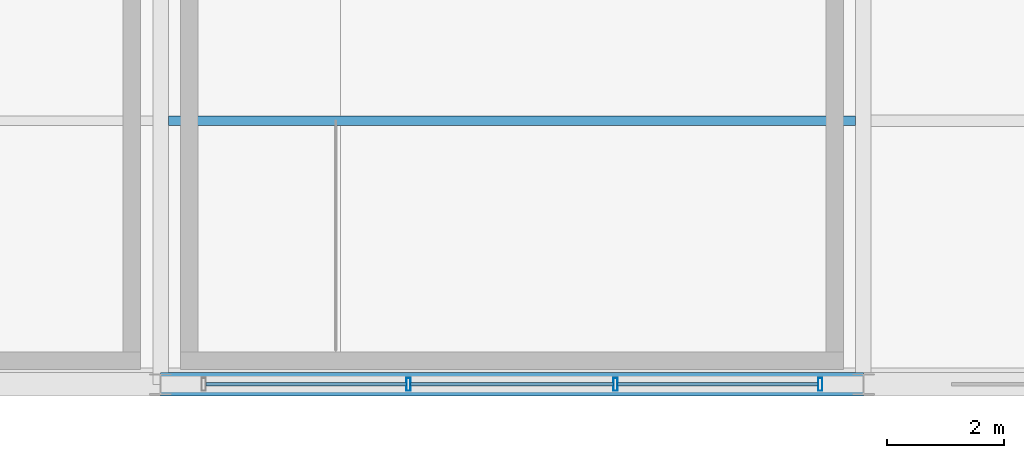
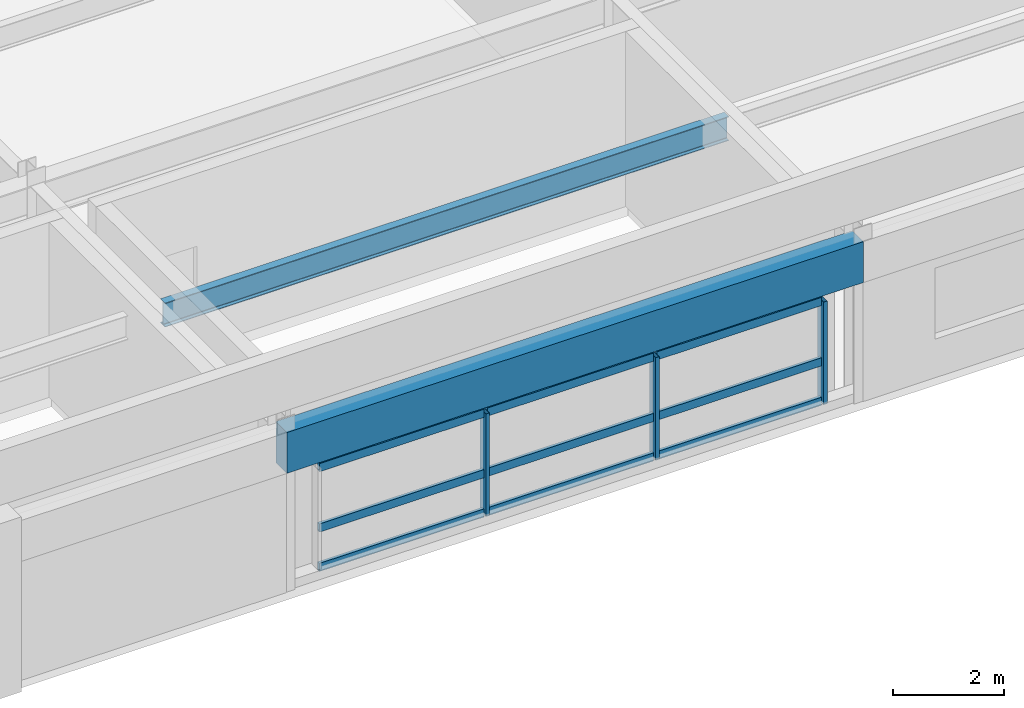
# One storey, part 47 of 108: 12 members, 2 beams, 1 element without a shape of its own.
"""IFC4 building model written with IfcOpenShell, lengths in metres."""

from ifc_helpers import new_model, si_unit, direction, frame, origin, origin_2d, place, context, subcontext, project, spatial, rectangle, hollow_rectangle, i_section, extrude, material, material_profile, profile_set, type_object, element, aggregate, save


model = new_model("IFC4")

# Units and contexts
model_context = context("Model", 3, precision=1e-05, world=origin(), true_north=direction((0.0, 1.0)))
body_context = subcontext(model_context, "Body", "Model", "MODEL_VIEW")
ifc_project = project(units=[si_unit("LENGTHUNIT", "METRE"), si_unit("AREAUNIT", "SQUARE_METRE"), si_unit("VOLUMEUNIT", "CUBIC_METRE"), si_unit("PLANEANGLEUNIT", "RADIAN"), si_unit("MASSUNIT", "GRAM", prefix="KILO")], contexts=[model_context])

# Site, building, storey
site_placement = place(None, origin())
site = spatial("IfcSite", under=ifc_project, at=site_placement, CompositionType="ELEMENT")
building_placement = place(site_placement, origin())
building = spatial("IfcBuilding", under=site, at=building_placement, Name="Kaldorvane Square Convention Centre", CompositionType="ELEMENT")
storey_placement = place(building_placement, frame((0.0, 0.0, 23.399993896484375)))
storey = spatial("IfcBuildingStorey", under=building, at=storey_placement, Name="L04", CompositionType="ELEMENT", Elevation=23.399993896484375)

# Beams
ifc_material_1 = material(Name="Steel ASTM A992 Gr. 50", Category="steel")
ifc_material_profile_1 = material_profile(ifc_material_1, i_section(OverallWidth=0.1658935546875, OverallDepth=0.5290985107421875, WebThickness=0.00970458984375, FlangeThickness=0.0135955810546875, FilletRadius=0.0126953125, at=origin_2d()), Name="W21X50")
ifc_profile_set_1 = profile_set([ifc_material_profile_1], Name="Steel ASTM A992 Gr. 50")
beam_type_1 = type_object("IfcBeamType", Name="BM-JS-W21X50", PredefinedType="JOIST", material=ifc_profile_set_1)
beam_1_placement = place(storey_placement, frame((126.13330078125, 4.5, 3.26141357421875), z_axis=(1.0, 0.0, 0.0), x_axis=(0.0, 1.0, 0.0)))
element("IfcBeam", 1, at=beam_1_placement, inside=storey, type_object=beam_type_1, Name="Secondary Floor Joist (L04)", PredefinedType="JOIST", context=body_context, shape_type="SweptSolid", body=[
    extrude(i_section(OverallWidth=0.1658935546875, OverallDepth=0.5290985107421875, WebThickness=0.00970458984375, FlangeThickness=0.0135955810546875, FilletRadius=0.0126953125, at=origin_2d()), origin(), (0.0, 0.0, 1.0), 11.7333984375),
])
ifc_material_2 = material(Name="Concrete f'c = 42 MPa (Normalweight)", Category="concrete")
ifc_material_profile_2 = material_profile(ifc_material_2, rectangle(XDim=0.399993896484375, YDim=0.899993896484375, at=origin_2d()), Name="RCSP900X400")
ifc_profile_set_2 = profile_set([ifc_material_profile_2], Name="Concrete f'c = 42 MPa (Normalweight)")
beam_type_2 = type_object("IfcBeamType", Name="BM-SP-RC900", PredefinedType="SPANDREL", material=ifc_profile_set_2)
beam_2_placement = place(storey_placement, frame((126.0, 0.0, 3.0760040283203125), z_axis=(1.0, 0.0, 0.0), x_axis=(0.0, 1.0, 0.0)))
element("IfcBeam", 2, at=beam_2_placement, inside=storey, type_object=beam_type_2, Name="Perimeter Spandrel (L04)", PredefinedType="SPANDREL", context=body_context, shape_type="SweptSolid", body=[
    extrude(rectangle(XDim=0.399993896484375, YDim=0.899993896484375, at=origin_2d()), origin(), (0.0, 0.0, 1.0), 12.0),
])

# Curtain wall, members
ifc_material_3 = material(Name="Anodized Aluminum and Low-E Insulated Glazing", Category="aluminium")
curtain_wall_type = type_object("IfcCurtainWallType", Name="CW-UNI-P42-12", PredefinedType="USERDEFINED", material=ifc_material_3)
curtain_wall_placement = place(storey_placement, origin())
curtain_wall = element("IfcCurtainWall", 3, at=curtain_wall_placement, inside=storey, type_object=curtain_wall_type, Name="Curtain Wall CW-05 (L04)", ObjectType="UNITISED GLAZING", PredefinedType="USERDEFINED")
ifc_material_profile_3 = material_profile(ifc_material_3, hollow_rectangle(XDim=0.0749969482421875, YDim=0.220001220703125, WallThickness=0.003997802734375, at=origin_2d()), Name="CWM-220X75")
ifc_profile_set_3 = profile_set([ifc_material_profile_3], Name="Anodized Aluminum and Low-E Insulated Glazing")
member_type_1 = type_object("IfcMemberType", Name="CW-MUL-220", PredefinedType="MULLION", material=ifc_profile_set_3)
member_1_placement = place(storey_placement, frame((130.23333740234375, 0.0, 0.1500091552734375), z_axis=(0.0, 0.0, 1.0), x_axis=(1.0, 0.0, 0.0)))
member_1 = element("IfcMember", 4, at=member_1_placement, type_object=member_type_1, Name="CW-05 mullion 2", PredefinedType="MULLION", context=body_context, shape_type="SweptSolid", body=[
    extrude(hollow_rectangle(XDim=0.0749969482421875, YDim=0.220001220703125, WallThickness=0.003997802734375, at=origin_2d()), origin(), (0.0, 0.0, 1.0), 2.2599945068359375),
])
member_2_placement = place(storey_placement, frame((133.76666259765625, 0.0, 0.1500091552734375), z_axis=(0.0, 0.0, 1.0), x_axis=(1.0, 0.0, 0.0)))
member_2 = element("IfcMember", 5, at=member_2_placement, type_object=member_type_1, Name="CW-05 mullion 3", PredefinedType="MULLION", context=body_context, shape_type="SweptSolid", body=[
    extrude(hollow_rectangle(XDim=0.0749969482421875, YDim=0.220001220703125, WallThickness=0.003997802734375, at=origin_2d()), origin(), (0.0, 0.0, 1.0), 2.2599945068359375),
])
member_3_placement = place(storey_placement, frame((137.2624969482422, 0.0, 0.1500091552734375), z_axis=(0.0, 0.0, 1.0), x_axis=(1.0, 0.0, 0.0)))
member_3 = element("IfcMember", 6, at=member_3_placement, type_object=member_type_1, Name="CW-05 mullion 4", PredefinedType="MULLION", context=body_context, shape_type="SweptSolid", body=[
    extrude(hollow_rectangle(XDim=0.0749969482421875, YDim=0.220001220703125, WallThickness=0.003997802734375, at=origin_2d()), origin(), (0.0, 0.0, 1.0), 2.2599945068359375),
])
ifc_material_profile_4 = material_profile(ifc_material_3, hollow_rectangle(XDim=0.06500244140625, YDim=0.17999267578125, WallThickness=0.0034942626953125, at=origin_2d()), Name="CWT-180X65")
ifc_profile_set_4 = profile_set([ifc_material_profile_4], Name="Anodized Aluminum and Low-E Insulated Glazing")
member_type_2 = type_object("IfcMemberType", Name="CW-TRN-180", PredefinedType="USERDEFINED", material=ifc_profile_set_4)
member_4_placement = place(storey_placement, frame((126.77499389648438, 0.0, 0.1825103759765625), z_axis=(1.0, 0.0, 0.0), x_axis=(0.0, 1.0, 0.0)))
member_4 = element("IfcMember", 7, at=member_4_placement, type_object=member_type_2, Name="CW-05 transom 1.1", ObjectType="TRANSOM", PredefinedType="USERDEFINED", context=body_context, shape_type="SweptSolid", body=[
    extrude(hollow_rectangle(XDim=0.06500244140625, YDim=0.17999267578125, WallThickness=0.0034942626953125, at=origin_2d()), origin(), (0.0, 0.0, 1.0), 3.42083740234375),
])
member_5_placement = place(storey_placement, frame((126.77499389648438, 0.0, 1.0500030517578125), z_axis=(1.0, 0.0, 0.0), x_axis=(0.0, 1.0, 0.0)))
member_5 = element("IfcMember", 8, at=member_5_placement, type_object=member_type_2, Name="CW-05 transom 1.2", ObjectType="TRANSOM", PredefinedType="USERDEFINED", context=body_context, shape_type="SweptSolid", body=[
    extrude(hollow_rectangle(XDim=0.06500244140625, YDim=0.17999267578125, WallThickness=0.0034942626953125, at=origin_2d()), origin(), (0.0, 0.0, 1.0), 3.42083740234375),
])
member_6_placement = place(storey_placement, frame((126.77499389648438, 0.0, 2.37750244140625), z_axis=(1.0, 0.0, 0.0), x_axis=(0.0, 1.0, 0.0)))
member_6 = element("IfcMember", 9, at=member_6_placement, type_object=member_type_2, Name="CW-05 transom 1.3", ObjectType="TRANSOM", PredefinedType="USERDEFINED", context=body_context, shape_type="SweptSolid", body=[
    extrude(hollow_rectangle(XDim=0.06500244140625, YDim=0.17999267578125, WallThickness=0.0034942626953125, at=origin_2d()), origin(), (0.0, 0.0, 1.0), 3.42083740234375),
])
member_7_placement = place(storey_placement, frame((130.2708282470703, 0.0, 0.1825103759765625), z_axis=(1.0, 0.0, 0.0), x_axis=(0.0, 1.0, 0.0)))
member_7 = element("IfcMember", 10, at=member_7_placement, type_object=member_type_2, Name="CW-05 transom 2.1", ObjectType="TRANSOM", PredefinedType="USERDEFINED", context=body_context, shape_type="SweptSolid", body=[
    extrude(hollow_rectangle(XDim=0.06500244140625, YDim=0.17999267578125, WallThickness=0.0034942626953125, at=origin_2d()), origin(), (0.0, 0.0, 1.0), 3.458343505859375),
])
member_8_placement = place(storey_placement, frame((130.2708282470703, 0.0, 1.0500030517578125), z_axis=(1.0, 0.0, 0.0), x_axis=(0.0, 1.0, 0.0)))
member_8 = element("IfcMember", 11, at=member_8_placement, type_object=member_type_2, Name="CW-05 transom 2.2", ObjectType="TRANSOM", PredefinedType="USERDEFINED", context=body_context, shape_type="SweptSolid", body=[
    extrude(hollow_rectangle(XDim=0.06500244140625, YDim=0.17999267578125, WallThickness=0.0034942626953125, at=origin_2d()), origin(), (0.0, 0.0, 1.0), 3.458343505859375),
])
member_9_placement = place(storey_placement, frame((130.2708282470703, 0.0, 2.37750244140625), z_axis=(1.0, 0.0, 0.0), x_axis=(0.0, 1.0, 0.0)))
member_9 = element("IfcMember", 12, at=member_9_placement, type_object=member_type_2, Name="CW-05 transom 2.3", ObjectType="TRANSOM", PredefinedType="USERDEFINED", context=body_context, shape_type="SweptSolid", body=[
    extrude(hollow_rectangle(XDim=0.06500244140625, YDim=0.17999267578125, WallThickness=0.0034942626953125, at=origin_2d()), origin(), (0.0, 0.0, 1.0), 3.458343505859375),
])
member_10_placement = place(storey_placement, frame((133.80416870117188, 0.0, 0.1825103759765625), z_axis=(1.0, 0.0, 0.0), x_axis=(0.0, 1.0, 0.0)))
member_10 = element("IfcMember", 13, at=member_10_placement, type_object=member_type_2, Name="CW-05 transom 3.1", ObjectType="TRANSOM", PredefinedType="USERDEFINED", context=body_context, shape_type="SweptSolid", body=[
    extrude(hollow_rectangle(XDim=0.06500244140625, YDim=0.17999267578125, WallThickness=0.0034942626953125, at=origin_2d()), origin(), (0.0, 0.0, 1.0), 3.42083740234375),
])
member_11_placement = place(storey_placement, frame((133.80416870117188, 0.0, 1.0500030517578125), z_axis=(1.0, 0.0, 0.0), x_axis=(0.0, 1.0, 0.0)))
member_11 = element("IfcMember", 14, at=member_11_placement, type_object=member_type_2, Name="CW-05 transom 3.2", ObjectType="TRANSOM", PredefinedType="USERDEFINED", context=body_context, shape_type="SweptSolid", body=[
    extrude(hollow_rectangle(XDim=0.06500244140625, YDim=0.17999267578125, WallThickness=0.0034942626953125, at=origin_2d()), origin(), (0.0, 0.0, 1.0), 3.42083740234375),
])
member_12_placement = place(storey_placement, frame((133.80416870117188, 0.0, 2.37750244140625), z_axis=(1.0, 0.0, 0.0), x_axis=(0.0, 1.0, 0.0)))
member_12 = element("IfcMember", 15, at=member_12_placement, type_object=member_type_2, Name="CW-05 transom 3.3", ObjectType="TRANSOM", PredefinedType="USERDEFINED", context=body_context, shape_type="SweptSolid", body=[
    extrude(hollow_rectangle(XDim=0.06500244140625, YDim=0.17999267578125, WallThickness=0.0034942626953125, at=origin_2d()), origin(), (0.0, 0.0, 1.0), 3.42083740234375),
])
aggregate(curtain_wall, [member_1, member_2, member_3, member_4, member_5, member_6, member_7, member_8, member_9, member_10, member_11, member_12])

save(model, "model.ifc")
